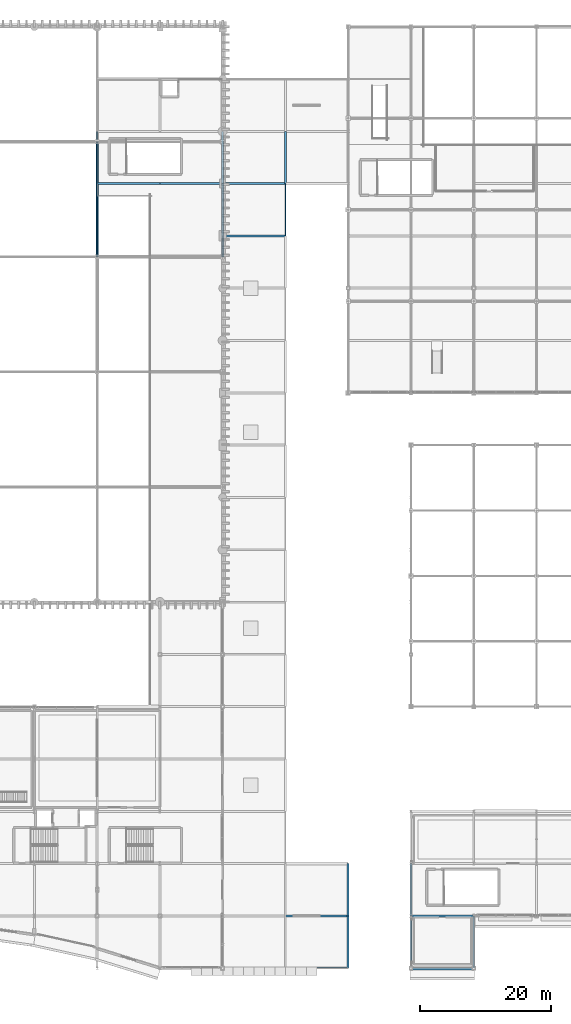
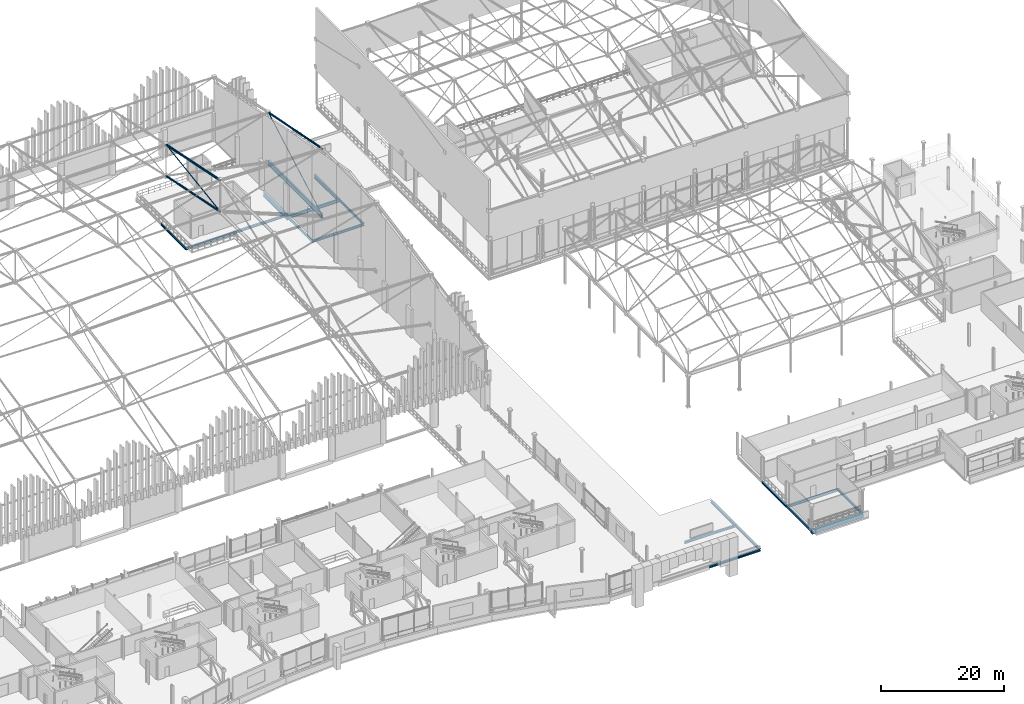
# One storey, part 72 of 193: 19 beams, 5 members.
"""IFC4 building model written with IfcOpenShell, lengths in metres."""

from ifc_helpers import new_model, si_unit, direction, frame, origin, origin_2d, place, context, subcontext, project, spatial, rectangle, hollow_circle, i_section, extrude, material, material_profile, profile_set, type_object, element, save


model = new_model("IFC4")

# Units and contexts
model_context = context("Model", 3, precision=1e-05, world=origin(), true_north=direction((0.0, 1.0)))
body_context = subcontext(model_context, "Body", "Model", "MODEL_VIEW")
ifc_project = project(units=[si_unit("LENGTHUNIT", "METRE"), si_unit("AREAUNIT", "SQUARE_METRE"), si_unit("VOLUMEUNIT", "CUBIC_METRE"), si_unit("PLANEANGLEUNIT", "RADIAN"), si_unit("MASSUNIT", "GRAM", prefix="KILO")], contexts=[model_context])

# Site, building, storey
site_placement = place(None, origin())
site = spatial("IfcSite", under=ifc_project, at=site_placement, CompositionType="ELEMENT")
building_placement = place(site_placement, origin())
building = spatial("IfcBuilding", under=site, at=building_placement, Name="Danafjord Basin Convention Centre", CompositionType="ELEMENT")
storey_placement = place(building_placement, frame((0.0, 0.0, 11.39990234375)))
storey = spatial("IfcBuildingStorey", under=building, at=storey_placement, Name="L02", CompositionType="ELEMENT", Elevation=11.39990234375)

# Beams
ifc_material_1 = material(Name="Steel S355", Category="steel")
ifc_material_profile_1 = material_profile(ifc_material_1, i_section(OverallWidth=0.300048828125, OverallDepth=0.489990234375, WebThickness=0.011962890625, FlangeThickness=0.02294921875, FilletRadius=0.027099609375, at=origin_2d()), Name="HEA 500")
ifc_profile_set_1 = profile_set([ifc_material_profile_1], Name="Steel S355")
beam_type_1 = type_object("IfcBeamType", Name="BEAM-BM-HEA500", PredefinedType="BEAM", material=ifc_profile_set_1)
beam_1_placement = place(storey_placement, frame((144.0, 8.0, -0.474853515625), z_axis=(1.0, 0.0, 0.0), x_axis=(0.0, 1.0, 0.0)))
element("IfcBeam", 1, at=beam_1_placement, inside=storey, type_object=beam_type_1, Name="L02 girder BM-HEA500", PredefinedType="BEAM", context=body_context, shape_type="SweptSolid", body=[
    extrude(i_section(OverallWidth=0.300048828125, OverallDepth=0.489990234375, WebThickness=0.011962890625, FlangeThickness=0.02294921875, FilletRadius=0.027099609375, at=origin_2d()), origin(), (0.0, 0.0, 1.0), 9.60009765625),
])
ifc_material_profile_2 = material_profile(ifc_material_1, i_section(OverallWidth=0.300048828125, OverallDepth=0.590087890625, WebThickness=0.012939453125, FlangeThickness=0.02490234375, FilletRadius=0.027099609375, at=origin_2d()), Name="HEA 600")
ifc_profile_set_2 = profile_set([ifc_material_profile_2], Name="Steel S355")
beam_type_2 = type_object("IfcBeamType", Name="BEAM-BM-HEA600", PredefinedType="BEAM", material=ifc_profile_set_2)
beam_2_placement = place(storey_placement, frame((115.199951171875, 120.0, -0.9599609375), z_axis=(1.0, 0.0, 0.0), x_axis=(0.0, 1.0, 0.0)))
element("IfcBeam", 2, at=beam_2_placement, inside=storey, type_object=beam_type_2, Name="L02 girder BM-HEA600", PredefinedType="BEAM", context=body_context, shape_type="SweptSolid", body=[
    extrude(i_section(OverallWidth=0.300048828125, OverallDepth=0.590087890625, WebThickness=0.012939453125, FlangeThickness=0.02490234375, FilletRadius=0.027099609375, at=origin_2d()), origin(), (0.0, 0.0, 1.0), 9.60009765625),
])
ifc_material_profile_3 = material_profile(ifc_material_1, i_section(OverallWidth=0.300048828125, OverallDepth=0.449951171875, WebThickness=0.013916015625, FlangeThickness=0.02587890625, FilletRadius=0.027099609375, at=origin_2d()), Name="HEB 450")
ifc_profile_set_3 = profile_set([ifc_material_profile_3], Name="Steel S355")
beam_type_3 = type_object("IfcBeamType", Name="BEAM-BM-HEB450", PredefinedType="BEAM", material=ifc_profile_set_3)
beam_3_placement = place(storey_placement, frame((105.60009765625, 120.0, -0.454833984375), z_axis=(1.0, 0.0, 0.0), x_axis=(0.0, 1.0, 0.0)))
element("IfcBeam", 3, at=beam_3_placement, inside=storey, type_object=beam_type_3, Name="L02 girder BM-HEB450", PredefinedType="BEAM", context=body_context, shape_type="SweptSolid", body=[
    extrude(i_section(OverallWidth=0.300048828125, OverallDepth=0.449951171875, WebThickness=0.013916015625, FlangeThickness=0.02587890625, FilletRadius=0.027099609375, at=origin_2d()), origin(), (0.0, 0.0, 1.0), 9.599853515625),
])
beam_4_placement = place(storey_placement, frame((115.199951171875, 112.0, -0.889892578125), z_axis=(1.0, 0.0, 0.0), x_axis=(0.0, 1.0, 0.0)))
element("IfcBeam", 4, at=beam_4_placement, inside=storey, type_object=beam_type_3, Name="L02 girder BM-HEB450", PredefinedType="BEAM", context=body_context, shape_type="SweptSolid", body=[
    extrude(i_section(OverallWidth=0.300048828125, OverallDepth=0.449951171875, WebThickness=0.013916015625, FlangeThickness=0.02587890625, FilletRadius=0.027099609375, at=origin_2d()), origin(), (0.0, 0.0, 1.0), 9.60009765625),
])
beam_5_placement = place(storey_placement, frame((124.800048828125, 8.0, -0.889892578125), z_axis=(1.0, 0.0, 0.0), x_axis=(0.0, 1.0, 0.0)))
element("IfcBeam", 5, at=beam_5_placement, inside=storey, type_object=beam_type_3, Name="L02 girder BM-HEB450", PredefinedType="BEAM", context=body_context, shape_type="SweptSolid", body=[
    extrude(i_section(OverallWidth=0.300048828125, OverallDepth=0.449951171875, WebThickness=0.013916015625, FlangeThickness=0.02587890625, FilletRadius=0.027099609375, at=origin_2d()), origin(), (0.0, 0.0, 1.0), 9.599853515625),
])
ifc_material_profile_4 = material_profile(ifc_material_1, i_section(OverallWidth=0.300048828125, OverallDepth=0.5, WebThickness=0.014404296875, FlangeThickness=0.028076171875, FilletRadius=0.027099609375, at=origin_2d()), Name="HEB 500")
ifc_profile_set_4 = profile_set([ifc_material_profile_4], Name="Steel S355")
beam_type_4 = type_object("IfcBeamType", Name="BEAM-BM-HEB500", PredefinedType="BEAM", material=ifc_profile_set_4)
beam_6_placement = place(storey_placement, frame((96.0, 120.0, -0.47998046875), z_axis=(1.0, 0.0, 0.0), x_axis=(0.0, 1.0, 0.0)))
element("IfcBeam", 6, at=beam_6_placement, inside=storey, type_object=beam_type_4, Name="L02 girder BM-HEB500", PredefinedType="BEAM", context=body_context, shape_type="SweptSolid", body=[
    extrude(i_section(OverallWidth=0.300048828125, OverallDepth=0.5, WebThickness=0.014404296875, FlangeThickness=0.028076171875, FilletRadius=0.027099609375, at=origin_2d()), origin(), (0.0, 0.0, 1.0), 9.60009765625),
])
ifc_material_profile_5 = material_profile(ifc_material_1, i_section(OverallWidth=0.300048828125, OverallDepth=0.699951171875, WebThickness=0.01708984375, FlangeThickness=0.031982421875, FilletRadius=0.027099609375, at=origin_2d()), Name="HEB 700")
ifc_profile_set_5 = profile_set([ifc_material_profile_5], Name="Steel S355")
beam_type_5 = type_object("IfcBeamType", Name="BEAM-BM-HEB700", PredefinedType="BEAM", material=ifc_profile_set_5)
beam_7_placement = place(storey_placement, frame((124.800048828125, 120.0, -1.014892578125), z_axis=(0.0, 1.0, 0.0), x_axis=(-1.0, 0.0, 0.0)))
element("IfcBeam", 7, at=beam_7_placement, inside=storey, type_object=beam_type_5, Name="L02 transverse girder BM-HEB700", PredefinedType="BEAM", context=body_context, shape_type="SweptSolid", body=[
    extrude(i_section(OverallWidth=0.300048828125, OverallDepth=0.699951171875, WebThickness=0.01708984375, FlangeThickness=0.031982421875, FilletRadius=0.027099609375, at=origin_2d()), origin(), (0.0, 0.0, 1.0), 8.0),
])
ifc_material_profile_6 = material_profile(ifc_material_1, i_section(OverallWidth=0.300048828125, OverallDepth=0.89990234375, WebThickness=0.0185546875, FlangeThickness=0.034912109375, FilletRadius=0.030029296875, at=origin_2d()), Name="HEB 900")
ifc_profile_set_6 = profile_set([ifc_material_profile_6], Name="Steel S355")
beam_type_6 = type_object("IfcBeamType", Name="BEAM-BM-HEB900", PredefinedType="BEAM", material=ifc_profile_set_6)
beam_8_placement = place(storey_placement, frame((115.199951171875, 120.0, -1.114990234375), z_axis=(0.0, 1.0, 0.0), x_axis=(-1.0, 0.0, 0.0)))
element("IfcBeam", 8, at=beam_8_placement, inside=storey, type_object=beam_type_6, Name="L02 transverse girder BM-HEB900", PredefinedType="BEAM", context=body_context, shape_type="SweptSolid", body=[
    extrude(i_section(OverallWidth=0.300048828125, OverallDepth=0.89990234375, WebThickness=0.0185546875, FlangeThickness=0.034912109375, FilletRadius=0.030029296875, at=origin_2d()), origin(), (0.0, 0.0, 1.0), 8.0),
])
beam_9_placement = place(storey_placement, frame((115.199951171875, 108.800048828125, 6.050048828125), z_axis=(0.0, 1.0, 0.0), x_axis=(-1.0, 0.0, 0.0)))
element("IfcBeam", 9, at=beam_9_placement, inside=storey, type_object=beam_type_6, Name="V1 space-frame perimeter ring girder", PredefinedType="BEAM", context=body_context, shape_type="SweptSolid", body=[
    extrude(i_section(OverallWidth=0.300048828125, OverallDepth=0.89990234375, WebThickness=0.0185546875, FlangeThickness=0.034912109375, FilletRadius=0.030029296875, at=origin_2d()), origin(), (0.0, 0.0, 1.0), 17.599853515625),
])
ifc_material_profile_7 = material_profile(ifc_material_1, i_section(OverallWidth=0.2099609375, OverallDepth=0.550048828125, WebThickness=0.010986328125, FlangeThickness=0.01708984375, FilletRadius=0.02392578125, at=origin_2d()), Name="IPE 550")
ifc_profile_set_7 = profile_set([ifc_material_profile_7], Name="Steel S355")
beam_type_7 = type_object("IfcBeamType", Name="BEAM-BM-IPE550", PredefinedType="BEAM", material=ifc_profile_set_7)
beam_10_placement = place(storey_placement, frame((115.199951171875, 112.0, -0.93994140625), z_axis=(0.0, 1.0, 0.0), x_axis=(-1.0, 0.0, 0.0)))
element("IfcBeam", 10, at=beam_10_placement, inside=storey, type_object=beam_type_7, Name="L02 transverse girder BM-IPE550", PredefinedType="BEAM", context=body_context, shape_type="SweptSolid", body=[
    extrude(i_section(OverallWidth=0.2099609375, OverallDepth=0.550048828125, WebThickness=0.010986328125, FlangeThickness=0.01708984375, FilletRadius=0.02392578125, at=origin_2d()), origin(), (0.0, 0.0, 1.0), 8.0),
])
ifc_material_profile_8 = material_profile(ifc_material_1, i_section(OverallWidth=0.300048828125, OverallDepth=0.39990234375, WebThickness=0.013427734375, FlangeThickness=0.02392578125, FilletRadius=0.027099609375, at=origin_2d()), Name="HEB 400")
ifc_profile_set_8 = profile_set([ifc_material_profile_8], Name="Steel S355")
beam_type_8 = type_object("IfcBeamType", Name="BEAM-SP-HEB400", PredefinedType="SPANDREL", material=ifc_profile_set_8)
beam_11_placement = place(storey_placement, frame((124.800048828125, 0.0, -0.864990234375), z_axis=(1.0, 0.0, 0.0), x_axis=(0.0, 1.0, 0.0)))
element("IfcBeam", 11, at=beam_11_placement, inside=storey, type_object=beam_type_8, Name="L02 girder SP-HEB400", PredefinedType="SPANDREL", context=body_context, shape_type="SweptSolid", body=[
    extrude(i_section(OverallWidth=0.300048828125, OverallDepth=0.39990234375, WebThickness=0.013427734375, FlangeThickness=0.02392578125, FilletRadius=0.027099609375, at=origin_2d()), origin(), (0.0, 0.0, 1.0), 9.599853515625),
])
for number, where, z_axis, x_axis, name in (
    (12, (134.39990234375, 0.0, -0.864990234375), (0.0, 1.0, 0.0), (-1.0, 0.0, 0.0), "L02 transverse girder SP-HEB400"),
    (13, (144.0, 8.0, -0.429931640625), (0.0, 1.0, 0.0), (-1.0, 0.0, 0.0), "L02 transverse girder SP-HEB400"),
    (14, (153.60009765625, 0.0, -0.429931640625), (0.0, 1.0, 0.0), (-1.0, 0.0, 0.0), "L02 transverse girder SP-HEB400"),
):
    element("IfcBeam", number, at=place(storey_placement, frame(where, z_axis=z_axis, x_axis=x_axis)), inside=storey, type_object=beam_type_8, Name=name, PredefinedType="SPANDREL", context=body_context, shape_type="SweptSolid", body=[
        extrude(i_section(OverallWidth=0.300048828125, OverallDepth=0.39990234375, WebThickness=0.013427734375, FlangeThickness=0.02392578125, FilletRadius=0.027099609375, at=origin_2d()), origin(), (0.0, 0.0, 1.0), 8.0),
    ])
ifc_material_profile_9 = material_profile(ifc_material_1, i_section(OverallWidth=0.300048828125, OverallDepth=0.449951171875, WebThickness=0.013916015625, FlangeThickness=0.02587890625, FilletRadius=0.027099609375, at=origin_2d()), Name="HEB 450")
ifc_profile_set_9 = profile_set([ifc_material_profile_9], Name="Steel S355")
beam_type_9 = type_object("IfcBeamType", Name="BEAM-SP-HEB450", PredefinedType="SPANDREL", material=ifc_profile_set_9)
beam_12_placement = place(storey_placement, frame((134.39990234375, 8.0, -0.889892578125), z_axis=(0.0, 1.0, 0.0), x_axis=(-1.0, 0.0, 0.0)))
element("IfcBeam", 15, at=beam_12_placement, inside=storey, type_object=beam_type_9, Name="L02 transverse girder SP-HEB450", PredefinedType="SPANDREL", context=body_context, shape_type="SweptSolid", body=[
    extrude(i_section(OverallWidth=0.300048828125, OverallDepth=0.449951171875, WebThickness=0.013916015625, FlangeThickness=0.02587890625, FilletRadius=0.027099609375, at=origin_2d()), origin(), (0.0, 0.0, 1.0), 8.0),
])
ifc_material_profile_10 = material_profile(ifc_material_1, i_section(OverallWidth=0.18994140625, OverallDepth=0.449951171875, WebThickness=0.009521484375, FlangeThickness=0.0146484375, FilletRadius=0.02099609375, at=origin_2d()), Name="IPE 450")
ifc_profile_set_10 = profile_set([ifc_material_profile_10], Name="Steel S355")
beam_type_10 = type_object("IfcBeamType", Name="BEAM-SP-IPE450", PredefinedType="SPANDREL", material=ifc_profile_set_10)
for number, where, z_axis, x_axis, name in (
    (16, (96.0, 120.0, -0.454833984375), (0.0, 1.0, 0.0), (-1.0, 0.0, 0.0), "L02 transverse girder SP-IPE450"),
    (17, (124.800048828125, 112.0, -0.889892578125), (0.0, 1.0, 0.0), (-1.0, 0.0, 0.0), "L02 transverse girder SP-IPE450"),
    (18, (144.0, 0.0, -0.454833984375), (0.0, 1.0, 0.0), (-1.0, 0.0, 0.0), "L02 transverse girder SP-IPE450"),
):
    element("IfcBeam", number, at=place(storey_placement, frame(where, z_axis=z_axis, x_axis=x_axis)), inside=storey, type_object=beam_type_10, Name=name, PredefinedType="SPANDREL", context=body_context, shape_type="SweptSolid", body=[
        extrude(i_section(OverallWidth=0.18994140625, OverallDepth=0.449951171875, WebThickness=0.009521484375, FlangeThickness=0.0146484375, FilletRadius=0.02099609375, at=origin_2d()), origin(), (0.0, 0.0, 1.0), 8.0),
    ])
ifc_material_2 = material(Name="Precast concrete C45/55", Category="concrete")
ifc_material_profile_11 = material_profile(ifc_material_2, rectangle(XDim=0.5, YDim=0.800048828125, at=origin_2d()), Name="PCB 500x800")
ifc_profile_set_11 = profile_set([ifc_material_profile_11], Name="Precast concrete C45/55")
beam_type_11 = type_object("IfcBeamType", Name="BEAM-SP-PCB800", PredefinedType="SPANDREL", material=ifc_profile_set_11)
beam_13_placement = place(storey_placement, frame((144.0, 0.0, -0.6298828125), z_axis=(1.0, 0.0, 0.0), x_axis=(0.0, 1.0, 0.0)))
element("IfcBeam", 19, at=beam_13_placement, inside=storey, type_object=beam_type_11, Name="L02 girder SP-PCB800", PredefinedType="SPANDREL", context=body_context, shape_type="SweptSolid", body=[
    extrude(rectangle(XDim=0.5, YDim=0.800048828125, at=origin_2d()), origin(), (0.0, 0.0, 1.0), 9.60009765625),
])

# Members
ifc_material_profile_12 = material_profile(ifc_material_1, hollow_circle(Radius=0.177734375, WallThickness=0.01611328125, at=origin_2d()), Name="CHS 355.6x16.0")
ifc_profile_set_12 = profile_set([ifc_material_profile_12], Name="Steel S355")
member_type_1 = type_object("IfcMemberType", Name="MEM-CH-CHS355", PredefinedType="CHORD", material=ifc_profile_set_12)
member_1_placement = place(storey_placement, frame((96.0, 108.800048828125, 13.655517578125), z_axis=(0.0, 0.979881323985, -0.19958103844), x_axis=(-1.0, 0.0, 0.0)))
element("IfcMember", 20, at=member_1_placement, inside=storey, type_object=member_type_1, Name="V1 roof truss transverse bottom chord", PredefinedType="CHORD", context=body_context, shape_type="SweptSolid", body=[
    extrude(hollow_circle(Radius=0.177734375, WallThickness=0.01611328125, at=origin_2d()), origin(), (0.0, 0.0, 1.0), 17.961181640625),
])
member_2_placement = place(storey_placement, frame((115.199951171875, 108.800048828125, 19.360595703125), z_axis=(0.0, 0.981326851087, -0.192347631481), x_axis=(-1.0, 0.0, 0.0)))
element("IfcMember", 21, at=member_2_placement, inside=storey, type_object=member_type_1, Name="V1 roof truss transverse top chord", PredefinedType="CHORD", context=body_context, shape_type="SweptSolid", body=[
    extrude(hollow_circle(Radius=0.177734375, WallThickness=0.01611328125, at=origin_2d()), origin(), (0.0, 0.0, 1.0), 17.934814453125),
])
ifc_material_profile_13 = material_profile(ifc_material_1, hollow_circle(Radius=0.203125, WallThickness=0.02001953125, at=origin_2d()), Name="CHS 406.4x20.0")
ifc_profile_set_13 = profile_set([ifc_material_profile_13], Name="Steel S355")
member_type_2 = type_object("IfcMemberType", Name="MEM-CH-CHS406", PredefinedType="CHORD", material=ifc_profile_set_13)
member_3_placement = place(storey_placement, frame((96.0, 108.800048828125, 19.85546875), z_axis=(0.0, 0.979883982164, -0.199567987157), x_axis=(-1.0, 0.0, 0.0)))
element("IfcMember", 22, at=member_3_placement, inside=storey, type_object=member_type_2, Name="V1 roof truss transverse top chord", PredefinedType="CHORD", context=body_context, shape_type="SweptSolid", body=[
    extrude(hollow_circle(Radius=0.203125, WallThickness=0.02001953125, at=origin_2d()), origin(), (0.0, 0.0, 1.0), 17.961181640625),
])
ifc_material_profile_14 = material_profile(ifc_material_1, hollow_circle(Radius=0.084228515625, WallThickness=0.008056640625, at=origin_2d()), Name="CHS 168.3x8.0")
ifc_profile_set_14 = profile_set([ifc_material_profile_14], Name="Steel S355")
member_type_3 = type_object("IfcMemberType", Name="MEM-WB-CHS168", PredefinedType="MEMBER", material=ifc_profile_set_14)
member_4_placement = place(storey_placement, frame((96.0, 108.800048828125, 13.655517578125), z_axis=(0.0, 0.98913742748, 0.146993705844), x_axis=(-1.0, 0.0, 0.0)))
element("IfcMember", 23, at=member_4_placement, inside=storey, type_object=member_type_3, Name="V1 space-frame transverse web", PredefinedType="MEMBER", context=body_context, shape_type="SweptSolid", body=[
    extrude(hollow_circle(Radius=0.084228515625, WallThickness=0.008056640625, at=origin_2d()), origin(), (0.0, 0.0, 1.0), 17.793212890625),
])
member_5_placement = place(storey_placement, frame((115.199951171875, 108.800048828125, 6.050048828125), z_axis=(0.0, 0.872401989065, 0.488789084858), x_axis=(-1.0, 0.0, 0.0)))
element("IfcMember", 24, at=member_5_placement, inside=storey, type_object=member_type_3, Name="V1 space-frame transverse web", PredefinedType="MEMBER", context=body_context, shape_type="SweptSolid", body=[
    extrude(hollow_circle(Radius=0.084228515625, WallThickness=0.008056640625, at=origin_2d()), origin(), (0.0, 0.0, 1.0), 20.174072265625),
])

save(model, "model.ifc")
